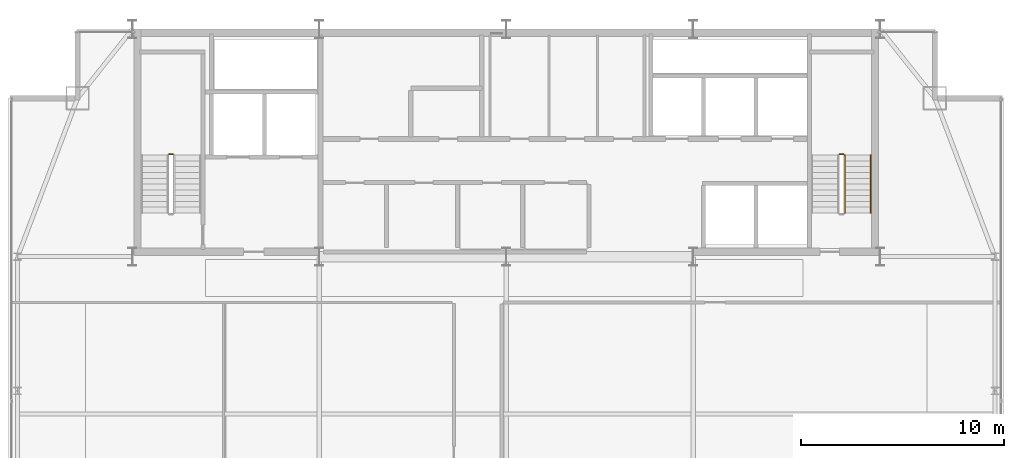
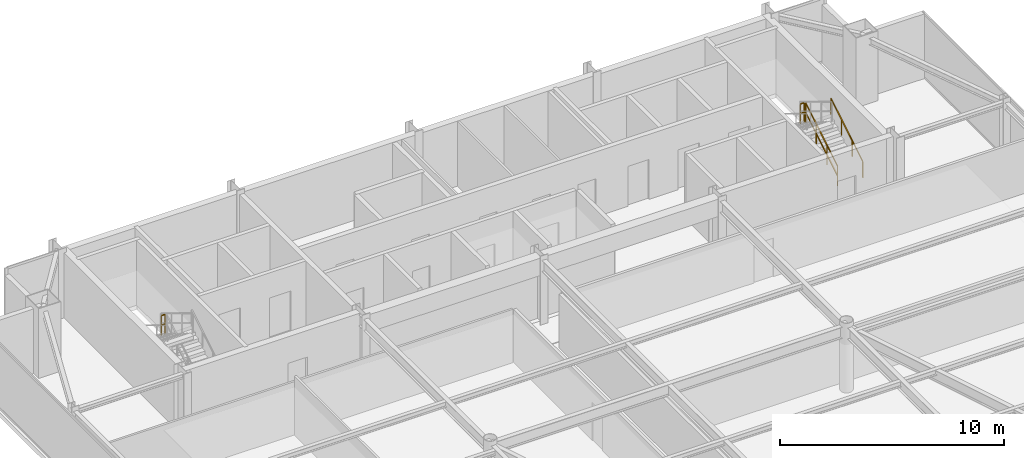
# One storey, part 30 of 30: 4 railings.
"""IFC4 building model written with IfcOpenShell, lengths in metres."""

from ifc_helpers import new_model, si_unit, direction, frame, origin, origin_2d, place, context, subcontext, project, spatial, rectangle, extrude, material, type_object, element, save


model = new_model("IFC4")

# Units and contexts
model_context = context("Model", 3, precision=1e-05, world=origin(), true_north=direction((0.0, 1.0)))
body_context = subcontext(model_context, "Body", "Model", "MODEL_VIEW")
ifc_project = project(units=[si_unit("LENGTHUNIT", "METRE"), si_unit("AREAUNIT", "SQUARE_METRE"), si_unit("VOLUMEUNIT", "CUBIC_METRE"), si_unit("PLANEANGLEUNIT", "RADIAN"), si_unit("MASSUNIT", "GRAM", prefix="KILO")], contexts=[model_context])

# Site, building, storey
site_placement = place(None, origin())
site = spatial("IfcSite", under=ifc_project, at=site_placement, CompositionType="ELEMENT")
building_placement = place(site_placement, origin())
building = spatial("IfcBuilding", under=site, at=building_placement, Name="Varnel Quay Broadcast Tower", CompositionType="ELEMENT")
storey_placement = place(building_placement, frame((0.0, 0.0, 222.60009765625)))
storey = spatial("IfcBuildingStorey", under=building, at=storey_placement, Name="L55", CompositionType="ELEMENT", Elevation=222.60009765625)

# Railings
ifc_material = material(Name="Painted Steel Guard and Handrail CSA G40.21 350W", Category="steel")
railing_type_1 = type_object("IfcRailingType", Name="Rail_StairGuard1100", PredefinedType="GUARDRAIL", material=ifc_material)
railing_1_placement = place(storey_placement, frame((17.60009765625, 40.64990234375, 1.89990234375)))
element("IfcRailing", 1, at=railing_1_placement, inside=storey, type_object=railing_type_1, Name="L55 ST-01 stair guard 2", PredefinedType="GUARDRAIL", context=body_context, shape_type="SweptSolid", body=[
    extrude(rectangle(XDim=0.048095703125, YDim=0.048095703125, at=origin_2d()), frame((0.0, 0.0, 1.076171875), z_axis=(-1.0, 0.0, 0.0), x_axis=(0.0, -1.0, 0.0)), (0.0, 0.0, 1.0), 0.2001953125),
    extrude(rectangle(XDim=0.048095703125, YDim=0.048095703125, at=origin_2d()), frame((0.0, 0.0, 0.550048828125), z_axis=(-1.0, 0.0, 0.0), x_axis=(0.0, -1.0, 0.0)), (0.0, 0.0, 1.0), 0.2001953125),
    extrude(rectangle(XDim=0.0419921875, YDim=0.0419921875, at=origin_2d()), origin(), (0.0, 0.0, 1.0), 1.052001953125),
    extrude(rectangle(XDim=0.0419921875, YDim=0.0419921875, at=origin_2d()), frame((-0.2001953125, 0.0, 0.0)), (0.0, 0.0, 1.0), 1.052001953125),
])
railing_2_placement = place(storey_placement, frame((50.64990234375, 37.75, 0.172607421875)))
element("IfcRailing", 2, at=railing_2_placement, inside=storey, type_object=railing_type_1, Name="L55 ST-02 stair guard 1", PredefinedType="GUARDRAIL", context=body_context, shape_type="SweptSolid", body=[
    extrude(rectangle(XDim=0.048095703125, YDim=0.048095703125, at=origin_2d()), frame((0.0, 0.0, 1.076171875), z_axis=(0.0, 0.855202751398, 0.518293598264), x_axis=(-1.0, 0.0, 0.0)), (0.0, 0.0, 1.0), 3.332763671875),
    extrude(rectangle(XDim=0.048095703125, YDim=0.048095703125, at=origin_2d()), frame((0.0, 0.0, 0.550048828125), z_axis=(0.0, 0.855202751398, 0.518293598264), x_axis=(-1.0, 0.0, 0.0)), (0.0, 0.0, 1.0), 3.332763671875),
    extrude(rectangle(XDim=0.0419921875, YDim=0.0419921875, at=origin_2d()), origin(), (0.0, 0.0, 1.0), 1.052001953125),
    extrude(rectangle(XDim=0.0419921875, YDim=0.0419921875, at=origin_2d()), frame((0.0, 0.949951171875, 0.57568359375)), (0.0, 0.0, 1.0), 1.052001953125),
    extrude(rectangle(XDim=0.0419921875, YDim=0.0419921875, at=origin_2d()), frame((0.0, 1.900146484375, 1.151611328125)), (0.0, 0.0, 1.0), 1.052001953125),
    extrude(rectangle(XDim=0.0419921875, YDim=0.0419921875, at=origin_2d()), frame((0.0, 2.85009765625, 1.727294921875)), (0.0, 0.0, 1.0), 1.052001953125),
])
railing_3_placement = place(storey_placement, frame((50.60009765625, 40.64990234375, 1.89990234375)))
element("IfcRailing", 3, at=railing_3_placement, inside=storey, type_object=railing_type_1, Name="L55 ST-02 stair guard 2", PredefinedType="GUARDRAIL", context=body_context, shape_type="SweptSolid", body=[
    extrude(rectangle(XDim=0.048095703125, YDim=0.048095703125, at=origin_2d()), frame((0.0, 0.0, 1.076171875), z_axis=(-1.0, 0.0, 0.0), x_axis=(0.0, -1.0, 0.0)), (0.0, 0.0, 1.0), 0.2001953125),
    extrude(rectangle(XDim=0.048095703125, YDim=0.048095703125, at=origin_2d()), frame((0.0, 0.0, 0.550048828125), z_axis=(-1.0, 0.0, 0.0), x_axis=(0.0, -1.0, 0.0)), (0.0, 0.0, 1.0), 0.2001953125),
    extrude(rectangle(XDim=0.0419921875, YDim=0.0419921875, at=origin_2d()), origin(), (0.0, 0.0, 1.0), 1.052001953125),
    extrude(rectangle(XDim=0.0419921875, YDim=0.0419921875, at=origin_2d()), frame((-0.2001953125, 0.0, 0.0)), (0.0, 0.0, 1.0), 1.052001953125),
])
railing_type_2 = type_object("IfcRailingType", Name="Rail_StairHandrail900", PredefinedType="HANDRAIL", material=ifc_material)
railing_4_placement = place(storey_placement, frame((51.949951171875, 37.75, 0.172607421875)))
element("IfcRailing", 4, at=railing_4_placement, inside=storey, type_object=railing_type_2, Name="L55 ST-02 stair handrail 1", PredefinedType="HANDRAIL", context=body_context, shape_type="SweptSolid", body=[
    extrude(rectangle(XDim=0.048095703125, YDim=0.048095703125, at=origin_2d()), frame((0.0, 0.0, 0.8759765625), z_axis=(0.0, 0.855202751398, 0.518293598264), x_axis=(-1.0, 0.0, 0.0)), (0.0, 0.0, 1.0), 3.332763671875),
    extrude(rectangle(XDim=0.0419921875, YDim=0.0419921875, at=origin_2d()), origin(), (0.0, 0.0, 1.0), 0.851806640625),
    extrude(rectangle(XDim=0.0419921875, YDim=0.0419921875, at=origin_2d()), frame((0.0, 0.949951171875, 0.57568359375)), (0.0, 0.0, 1.0), 0.851806640625),
    extrude(rectangle(XDim=0.0419921875, YDim=0.0419921875, at=origin_2d()), frame((0.0, 1.900146484375, 1.151611328125)), (0.0, 0.0, 1.0), 0.851806640625),
    extrude(rectangle(XDim=0.0419921875, YDim=0.0419921875, at=origin_2d()), frame((0.0, 2.85009765625, 1.727294921875)), (0.0, 0.0, 1.0), 0.851806640625),
])

save(model, "model.ifc")
